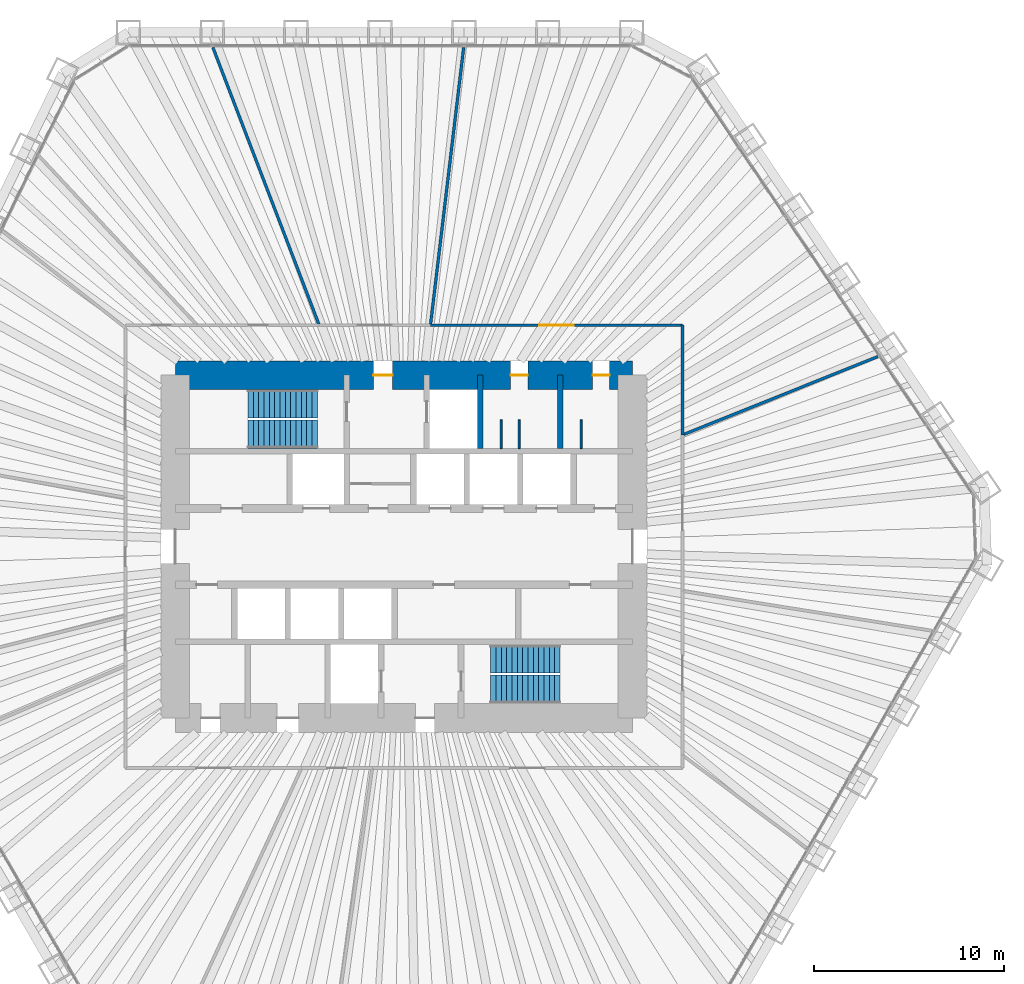
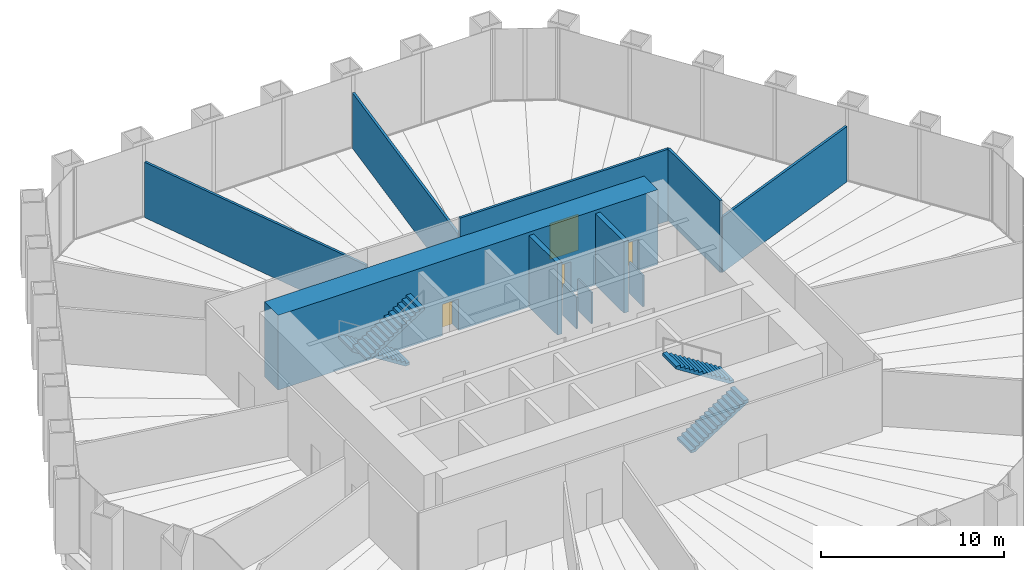
# One storey, part 12 of 13: 11 walls, 4 doors, 4 stair flights, 4 openings, 2 elements without a shape of their own.
"""IFC4 building model written with IfcOpenShell, lengths in metres."""

from ifc_helpers import new_model, si_unit, direction, frame, frame_2d, origin, place, context, subcontext, project, spatial, polyline, rectangle, outline, extrude, material, layer, layer_set, type_object, element, fill, aggregate, save


model = new_model("IFC4")

# Units and contexts
model_context = context("Model", 3, precision=1e-05, world=origin(), true_north=direction((0.0, 1.0)))
body_context = subcontext(model_context, "Body", "Model", "MODEL_VIEW")
ifc_project = project(units=[si_unit("LENGTHUNIT", "METRE"), si_unit("AREAUNIT", "SQUARE_METRE"), si_unit("VOLUMEUNIT", "CUBIC_METRE"), si_unit("PLANEANGLEUNIT", "RADIAN"), si_unit("MASSUNIT", "GRAM", prefix="KILO")], contexts=[model_context])

# Site, building, storey
site_placement = place(None, origin())
site = spatial("IfcSite", under=ifc_project, at=site_placement, CompositionType="ELEMENT")
building_placement = place(site_placement, origin())
building = spatial("IfcBuilding", under=site, at=building_placement, Name="Qingtian Harvest Tower", CompositionType="ELEMENT")
storey_placement = place(building_placement, frame((0.0, 0.0, 37.0)))
storey = spatial("IfcBuildingStorey", under=building, at=storey_placement, Name="L07", CompositionType="ELEMENT", Elevation=37.0)

# Walls
ifc_material_1 = material(Name="Precast concrete shaft panel", Category="concrete")
ifc_layer_1 = layer(ifc_material_1, 0.300048828125)
ifc_layer_set_1 = layer_set([ifc_layer_1], Name="Core shaft partition SW1 300")
wall_type_1 = type_object("IfcWallType", Name="Core shaft partition SW1 300", PredefinedType="PARTITIONING", material=ifc_layer_set_1)
for number, where, z_axis, x_axis, name in (
    (1, (4.0, 5.14990234375, 0.0), (0.0, 0.0, 1.0), (0.0, 1.0, 0.0), "Core shaft partition XN3 L07"),
    (2, (8.199951171875, 5.14990234375, 0.0), (0.0, 0.0, 1.0), (0.0, 1.0, 0.0), "Core shaft partition XN4 L07"),
):
    element("IfcWall", number, at=place(storey_placement, frame(where, z_axis=z_axis, x_axis=x_axis)), inside=storey, type_object=wall_type_1, Name=name, PredefinedType="PARTITIONING", context=body_context, shape_type="SweptSolid", body=[
        extrude(rectangle(XDim=3.85009765625, YDim=0.300048828125, at=frame_2d((1.925048828125, 0.0))), origin(), (0.0, 0.0, 1.0), 4.780029296875),
    ])

# Wall, openings, doors
ifc_material_2 = material(Name="Concrete fc' 70 MPa", Category="concrete")
ifc_layer_2 = layer(ifc_material_2, 1.5)
ifc_layer_set_2 = layer_set([ifc_layer_2], Name="Core wall RC1 1500")
wall_type_2 = type_object("IfcWallType", Name="Core wall RC1 1500", PredefinedType="SHEAR", material=ifc_layer_set_2)
wall_1_placement = place(storey_placement, frame((-12.0, 9.0, 0.0), z_axis=(0.0, 0.0, 1.0), x_axis=(1.0, 0.0, 0.0)))
wall_1 = element("IfcWall", 3, at=wall_1_placement, inside=storey, type_object=wall_type_2, Name="Core wall CN L07", PredefinedType="SHEAR", context=body_context, shape_type="SweptSolid", body=[
    extrude(rectangle(XDim=24.0, YDim=1.5, at=frame_2d((12.0, 0.0))), origin(), (0.0, 0.0, 1.0), 5.0),
])
opening_1_placement = place(wall_1_placement, frame((10.39990234375, 0.0, 0.0)))
opening_1 = element("IfcOpeningElement", 4, at=opening_1_placement, cuts=wall_1, Name="Opening FD1", PredefinedType="OPENING", context=body_context, shape_type="SweptSolid", body=[
    extrude(rectangle(XDim=1.0, YDim=2.10009765625, at=frame_2d((0.5, 1.050048828125))), frame((0.0, 0.760009765625, 0.0), z_axis=(0.0, -1.0, 0.0), x_axis=(1.0, 0.0, 0.0)), (0.0, 0.0, 1.0), 1.52001953125),
])
opening_2_placement = place(wall_1_placement, frame((17.60009765625, 0.0, 0.0)))
opening_2 = element("IfcOpeningElement", 5, at=opening_2_placement, cuts=wall_1, Name="Opening D1", PredefinedType="OPENING", context=body_context, shape_type="SweptSolid", body=[
    extrude(rectangle(XDim=0.89990234375, YDim=2.10009765625, at=frame_2d((0.449951171875, 1.050048828125))), frame((0.0, 0.760009765625, 0.0), z_axis=(0.0, -1.0, 0.0), x_axis=(1.0, 0.0, 0.0)), (0.0, 0.0, 1.0), 1.52001953125),
])
opening_3_placement = place(wall_1_placement, frame((21.89990234375, 0.0, 0.0)))
opening_3 = element("IfcOpeningElement", 6, at=opening_3_placement, cuts=wall_1, Name="Opening D1", PredefinedType="OPENING", context=body_context, shape_type="SweptSolid", body=[
    extrude(rectangle(XDim=0.89990234375, YDim=2.10009765625, at=frame_2d((0.449951171875, 1.050048828125))), frame((0.0, 0.760009765625, 0.0), z_axis=(0.0, -1.0, 0.0), x_axis=(1.0, 0.0, 0.0)), (0.0, 0.0, 1.0), 1.52001953125),
])
ifc_material_3 = material(Name="Steel-faced door leaf", Category="steel")
door_type_1 = type_object("IfcDoorType", Name="Fire door FD1 single 1 HR", OperationType="SINGLE_SWING_LEFT", PredefinedType="DOOR", material=ifc_material_3)
door_1_placement = place(opening_1_placement, origin())
door_1 = element("IfcDoor", 7, at=door_1_placement, inside=storey, type_object=door_type_1, Name="V1 door L07", OperationType="SINGLE_SWING_RIGHT", OverallHeight=2.10009765625, OverallWidth=1.0, PredefinedType="DOOR", context=body_context, shape_type="SweptSolid", body=[
    extrude(rectangle(XDim=1.0, YDim=2.10009765625, at=frame_2d((0.5, 1.050048828125))), frame((0.0, 0.02490234375, 0.0), z_axis=(0.0, -1.0, 0.0), x_axis=(1.0, 0.0, 0.0)), (0.0, 0.0, 1.0), 0.050048828125),
])
fill(opening_1, door_1)
ifc_material_4 = material(Name="Laminated timber door leaf", Category="wood")
door_type_2 = type_object("IfcDoorType", Name="Toilet door D1 single", OperationType="SINGLE_SWING_LEFT", PredefinedType="DOOR", material=ifc_material_4)
door_2_placement = place(opening_2_placement, origin())
door_2 = element("IfcDoor", 8, at=door_2_placement, inside=storey, type_object=door_type_2, Name="WCM door L07", OperationType="SINGLE_SWING_LEFT", OverallHeight=2.10009765625, OverallWidth=0.89990234375, PredefinedType="DOOR", context=body_context, shape_type="SweptSolid", body=[
    extrude(rectangle(XDim=0.89990234375, YDim=2.10009765625, at=frame_2d((0.449951171875, 1.050048828125))), frame((0.0, 0.02490234375, 0.0), z_axis=(0.0, -1.0, 0.0), x_axis=(1.0, 0.0, 0.0)), (0.0, 0.0, 1.0), 0.050048828125),
])
fill(opening_2, door_2)
door_3_placement = place(opening_3_placement, origin())
door_3 = element("IfcDoor", 9, at=door_3_placement, inside=storey, type_object=door_type_2, Name="WCF door L07", OperationType="SINGLE_SWING_LEFT", OverallHeight=2.10009765625, OverallWidth=0.89990234375, PredefinedType="DOOR", context=body_context, shape_type="SweptSolid", body=[
    extrude(rectangle(XDim=0.89990234375, YDim=2.10009765625, at=frame_2d((0.449951171875, 1.050048828125))), frame((0.0, 0.02490234375, 0.0), z_axis=(0.0, -1.0, 0.0), x_axis=(1.0, 0.0, 0.0)), (0.0, 0.0, 1.0), 0.050048828125),
])
fill(opening_3, door_3)

# Wall
ifc_material_5 = material(Name="Gypsum board on steel studs", Category="steel")
ifc_layer_3 = layer(ifc_material_5, 0.14990234375)
ifc_layer_set_3 = layer_set([ifc_layer_3], Name="Partition PT1 150")
wall_type_3 = type_object("IfcWallType", Name="Partition PT1 150", PredefinedType="PARTITIONING", material=ifc_layer_set_3)
wall_2_placement = place(storey_placement, frame((3.135009765625, 26.20068359375, 0.0), z_axis=(0.0, 0.0, 1.0), x_axis=(-0.118796980211, -0.992918565388, 0.0)))
element("IfcWall", 10, at=wall_2_placement, inside=storey, type_object=wall_type_3, Name="Leafy greens growing room wall L07", PredefinedType="PARTITIONING", context=body_context, shape_type="SweptSolid", body=[
    extrude(rectangle(XDim=14.6796875, YDim=0.14990234375, at=frame_2d((7.33984375, 0.0))), origin(), (0.0, 0.0, 1.0), 3.699951171875),
])

# Wall, opening, door
wall_3_placement = place(storey_placement, frame((1.39111328125, 11.625, 0.0), z_axis=(0.0, 0.0, 1.0), x_axis=(1.0, 0.0, 0.0)))
wall_3 = element("IfcWall", 11, at=wall_3_placement, inside=storey, type_object=wall_type_3, Name="Leafy greens growing room wall L07", PredefinedType="PARTITIONING", context=body_context, shape_type="SweptSolid", body=[
    extrude(rectangle(XDim=13.23388671875, YDim=0.14990234375, at=frame_2d((6.616943359375, 0.0))), origin(), (0.0, 0.0, 1.0), 4.800048828125),
])
opening_4_placement = place(wall_3_placement, frame((5.717041015625, 0.0, 0.0)))
opening_4 = element("IfcOpeningElement", 12, at=opening_4_placement, cuts=wall_3, Name="Opening D3", PredefinedType="OPENING", context=body_context, shape_type="SweptSolid", body=[
    extrude(rectangle(XDim=1.800048828125, YDim=2.39990234375, at=frame_2d((0.89990234375, 1.199951171875))), frame((0.0, 0.0849609375, 0.0), z_axis=(0.0, -1.0, 0.0), x_axis=(1.0, 0.0, 0.0)), (0.0, 0.0, 1.0), 0.169921875),
])
ifc_material_6 = material(Name="Laminated timber door leaf", Category="wood")
door_type_3 = type_object("IfcDoorType", Name="Room door D3 double", OperationType="DOUBLE_DOOR_DOUBLE_SWING", PredefinedType="DOOR", material=ifc_material_6)
door_4_placement = place(opening_4_placement, origin())
door_4 = element("IfcDoor", 13, at=door_4_placement, inside=storey, type_object=door_type_3, Name="Leafy greens growing room door L07", OperationType="DOUBLE_DOOR_DOUBLE_SWING", OverallHeight=2.39990234375, OverallWidth=1.800048828125, PredefinedType="DOOR", context=body_context, shape_type="SweptSolid", body=[
    extrude(rectangle(XDim=1.800048828125, YDim=2.39990234375, at=frame_2d((0.89990234375, 1.199951171875))), frame((0.0, 0.02490234375, 0.0), z_axis=(0.0, -1.0, 0.0), x_axis=(1.0, 0.0, 0.0)), (0.0, 0.0, 1.0), 0.050048828125),
])
fill(opening_4, door_4)

# Walls
wall_4_placement = place(storey_placement, frame((14.625, 11.625, 0.0), z_axis=(0.0, 0.0, 1.0), x_axis=(0.0, -1.0, 0.0)))
element("IfcWall", 14, at=wall_4_placement, inside=storey, type_object=wall_type_3, Name="Leafy greens growing room wall L07", PredefinedType="PARTITIONING", context=body_context, shape_type="SweptSolid", body=[
    extrude(rectangle(XDim=5.7607421875, YDim=0.14990234375, at=frame_2d((2.88037109375, 0.0))), origin(), (0.0, 0.0, 1.0), 4.800048828125),
])
wall_5_placement = place(storey_placement, frame((24.877197265625, 9.975341796875, 0.0), z_axis=(0.0, 0.0, 1.0), x_axis=(-0.928157765849, -0.372186998288, 0.0)))
element("IfcWall", 15, at=wall_5_placement, inside=storey, type_object=wall_type_3, Name="Leafy greens growing room wall L07", PredefinedType="PARTITIONING", context=body_context, shape_type="SweptSolid", body=[
    extrude(rectangle(XDim=11.045654296875, YDim=0.14990234375, at=frame_2d((5.52294921875, 0.0))), origin(), (0.0, 0.0, 1.0), 3.699951171875),
])
wall_6_placement = place(storey_placement, frame((-10.031005859375, 26.20654296875, 0.0), z_axis=(0.0, 0.0, 1.0), x_axis=(0.35747288505, -0.933923517454, 0.0)))
element("IfcWall", 16, at=wall_6_placement, inside=storey, type_object=wall_type_3, Name="Leafy greens growing room wall L07", PredefinedType="PARTITIONING", context=body_context, shape_type="SweptSolid", body=[
    extrude(rectangle(XDim=15.61328125, YDim=0.14990234375, at=frame_2d((7.806640625, 0.0))), origin(), (0.0, 0.0, 1.0), 3.699951171875),
])
ifc_material_7 = material(Name="Compact laminate cubicle partition", Category="plastic")
ifc_layer_4 = layer(ifc_material_7, 0.10009765625)
ifc_layer_set_4 = layer_set([ifc_layer_4], Name="WC cubicle partition WP1 100")
wall_type_4 = type_object("IfcWallType", Name="WC cubicle partition WP1 100", PredefinedType="PARTITIONING", material=ifc_layer_set_4)
for number, where, z_axis, x_axis, name in (
    (17, (5.10009765625, 5.14990234375, 0.0), (0.0, 0.0, 1.0), (0.0, 1.0, 0.0), "WC cubicle partition WCM L07"),
    (18, (6.050048828125, 5.14990234375, 0.0), (0.0, 0.0, 1.0), (0.0, 1.0, 0.0), "WC cubicle partition WCM L07"),
    (19, (9.300048828125, 5.14990234375, 0.0), (0.0, 0.0, 1.0), (0.0, 1.0, 0.0), "WC cubicle partition WCF L07"),
):
    element("IfcWall", number, at=place(storey_placement, frame(where, z_axis=z_axis, x_axis=x_axis)), inside=storey, type_object=wall_type_4, Name=name, PredefinedType="PARTITIONING", context=body_context, shape_type="SweptSolid", body=[
        extrude(rectangle(XDim=1.5, YDim=0.10009765625, at=frame_2d((0.75, 0.0))), origin(), (0.0, 0.0, 1.0), 2.10009765625),
    ])

# Stair, stair flights
ifc_material_8 = material(Name="Concrete fc' 35 MPa", Category="concrete")
stair_type = type_object("IfcStairType", Name="Special stair ST2 5000", PredefinedType="HALF_TURN_STAIR", material=ifc_material_8)
stair_1_placement = place(storey_placement, origin())
stair_1 = element("IfcStair", 20, at=stair_1_placement, inside=storey, type_object=stair_type, Name="Special stair S1 L07", PredefinedType="HALF_TURN_STAIR")
ifc_material_9 = material(Name="Concrete fc' 35 MPa", Category="concrete")
stair_flight_type = type_object("IfcStairFlightType", Name="Stair flight SF2 5000", PredefinedType="STRAIGHT", material=ifc_material_9)
stair_flight_1_placement = place(storey_placement, frame((-4.550048828125, 7.5, 0.0), z_axis=(0.0, 0.0, 1.0), x_axis=(-1.0, 0.0, 0.0)))
stair_flight_1 = element("IfcStairFlight", 21, at=stair_flight_1_placement, type_object=stair_flight_type, Name="S1 flight 1", NumberOfRisers=14, NumberOfTreads=13, PredefinedType="STRAIGHT", RiserHeight=0.178571429, TreadLength=0.28, context=body_context, shape_type="SweptSolid", body=[
    extrude(outline(polyline([(0.0, 0.0), (0.0, 0.178466796875), (0.280029296875, 0.178466796875), (0.280029296875, 0.357177734375), (0.56005859375, 0.357177734375), (0.56005859375, 0.53564453125), (0.840087890625, 0.53564453125), (0.840087890625, 0.71435546875), (1.1201171875, 0.71435546875), (1.1201171875, 0.892822265625), (1.39990234375, 0.892822265625), (1.39990234375, 1.071533203125), (1.679931640625, 1.071533203125), (1.679931640625, 1.25), (1.9599609375, 1.25), (1.9599609375, 1.428466796875), (2.239990234375, 1.428466796875), (2.239990234375, 1.607177734375), (2.52001953125, 1.607177734375), (2.52001953125, 1.78564453125), (2.800048828125, 1.78564453125), (2.800048828125, 1.96435546875), (3.080078125, 1.96435546875), (3.080078125, 2.142822265625), (3.360107421875, 2.142822265625), (3.360107421875, 2.321533203125), (3.639892578125, 2.321533203125), (3.639892578125, 2.5), (3.639892578125, 2.1435546875), (0.27880859375, 0.0), (0.0, 0.0)])), frame((0.0, 0.75, 0.0), z_axis=(0.0, -1.0, 0.0), x_axis=(1.0, 0.0, 0.0)), (0.0, 0.0, 1.0), 1.5),
])
stair_flight_2_placement = place(storey_placement, frame((-8.18994140625, 5.89990234375, 2.5), z_axis=(0.0, 0.0, 1.0), x_axis=(1.0, 0.0, 0.0)))
stair_flight_2 = element("IfcStairFlight", 22, at=stair_flight_2_placement, type_object=stair_flight_type, Name="S1 flight 2", NumberOfRisers=14, NumberOfTreads=13, PredefinedType="STRAIGHT", RiserHeight=0.178571429, TreadLength=0.28, context=body_context, shape_type="SweptSolid", body=[
    extrude(outline(polyline([(0.0, 0.0), (0.0, 0.178466796875), (0.280029296875, 0.178466796875), (0.280029296875, 0.357177734375), (0.56005859375, 0.357177734375), (0.56005859375, 0.53564453125), (0.840087890625, 0.53564453125), (0.840087890625, 0.71435546875), (1.1201171875, 0.71435546875), (1.1201171875, 0.892822265625), (1.39990234375, 0.892822265625), (1.39990234375, 1.071533203125), (1.679931640625, 1.071533203125), (1.679931640625, 1.25), (1.9599609375, 1.25), (1.9599609375, 1.428466796875), (2.239990234375, 1.428466796875), (2.239990234375, 1.607177734375), (2.52001953125, 1.607177734375), (2.52001953125, 1.78564453125), (2.800048828125, 1.78564453125), (2.800048828125, 1.96435546875), (3.080078125, 1.96435546875), (3.080078125, 2.142822265625), (3.360107421875, 2.142822265625), (3.360107421875, 2.321533203125), (3.639892578125, 2.321533203125), (3.639892578125, 2.5), (3.639892578125, 2.1435546875), (0.27880859375, 0.0), (0.0, 0.0)])), frame((0.0, 0.75, 0.0), z_axis=(0.0, -1.0, 0.0), x_axis=(1.0, 0.0, 0.0)), (0.0, 0.0, 1.0), 1.5),
])
aggregate(stair_1, [stair_flight_1, stair_flight_2])

stair_2_placement = place(storey_placement, origin())
stair_2 = element("IfcStair", 23, at=stair_2_placement, inside=storey, type_object=stair_type, Name="Special stair S2 L07", PredefinedType="HALF_TURN_STAIR")
stair_flight_3_placement = place(storey_placement, frame((4.550048828125, -7.5, 0.0), z_axis=(0.0, 0.0, 1.0), x_axis=(1.0, 0.0, 0.0)))
stair_flight_3 = element("IfcStairFlight", 24, at=stair_flight_3_placement, type_object=stair_flight_type, Name="S2 flight 1", NumberOfRisers=14, NumberOfTreads=13, PredefinedType="STRAIGHT", RiserHeight=0.178571429, TreadLength=0.28, context=body_context, shape_type="SweptSolid", body=[
    extrude(outline(polyline([(0.0, 0.0), (0.0, 0.178466796875), (0.280029296875, 0.178466796875), (0.280029296875, 0.357177734375), (0.56005859375, 0.357177734375), (0.56005859375, 0.53564453125), (0.840087890625, 0.53564453125), (0.840087890625, 0.71435546875), (1.1201171875, 0.71435546875), (1.1201171875, 0.892822265625), (1.39990234375, 0.892822265625), (1.39990234375, 1.071533203125), (1.679931640625, 1.071533203125), (1.679931640625, 1.25), (1.9599609375, 1.25), (1.9599609375, 1.428466796875), (2.239990234375, 1.428466796875), (2.239990234375, 1.607177734375), (2.52001953125, 1.607177734375), (2.52001953125, 1.78564453125), (2.800048828125, 1.78564453125), (2.800048828125, 1.96435546875), (3.080078125, 1.96435546875), (3.080078125, 2.142822265625), (3.360107421875, 2.142822265625), (3.360107421875, 2.321533203125), (3.639892578125, 2.321533203125), (3.639892578125, 2.5), (3.639892578125, 2.1435546875), (0.27880859375, 0.0), (0.0, 0.0)])), frame((0.0, 0.75, 0.0), z_axis=(0.0, -1.0, 0.0), x_axis=(1.0, 0.0, 0.0)), (0.0, 0.0, 1.0), 1.5),
])
stair_flight_4_placement = place(storey_placement, frame((8.18994140625, -5.89990234375, 2.5), z_axis=(0.0, 0.0, 1.0), x_axis=(-1.0, 0.0, 0.0)))
stair_flight_4 = element("IfcStairFlight", 25, at=stair_flight_4_placement, type_object=stair_flight_type, Name="S2 flight 2", NumberOfRisers=14, NumberOfTreads=13, PredefinedType="STRAIGHT", RiserHeight=0.178571429, TreadLength=0.28, context=body_context, shape_type="SweptSolid", body=[
    extrude(outline(polyline([(0.0, 0.0), (0.0, 0.178466796875), (0.280029296875, 0.178466796875), (0.280029296875, 0.357177734375), (0.56005859375, 0.357177734375), (0.56005859375, 0.53564453125), (0.840087890625, 0.53564453125), (0.840087890625, 0.71435546875), (1.1201171875, 0.71435546875), (1.1201171875, 0.892822265625), (1.39990234375, 0.892822265625), (1.39990234375, 1.071533203125), (1.679931640625, 1.071533203125), (1.679931640625, 1.25), (1.9599609375, 1.25), (1.9599609375, 1.428466796875), (2.239990234375, 1.428466796875), (2.239990234375, 1.607177734375), (2.52001953125, 1.607177734375), (2.52001953125, 1.78564453125), (2.800048828125, 1.78564453125), (2.800048828125, 1.96435546875), (3.080078125, 1.96435546875), (3.080078125, 2.142822265625), (3.360107421875, 2.142822265625), (3.360107421875, 2.321533203125), (3.639892578125, 2.321533203125), (3.639892578125, 2.5), (3.639892578125, 2.1435546875), (0.27880859375, 0.0), (0.0, 0.0)])), frame((0.0, 0.75, 0.0), z_axis=(0.0, -1.0, 0.0), x_axis=(1.0, 0.0, 0.0)), (0.0, 0.0, 1.0), 1.5),
])
aggregate(stair_2, [stair_flight_3, stair_flight_4])

save(model, "model.ifc")
